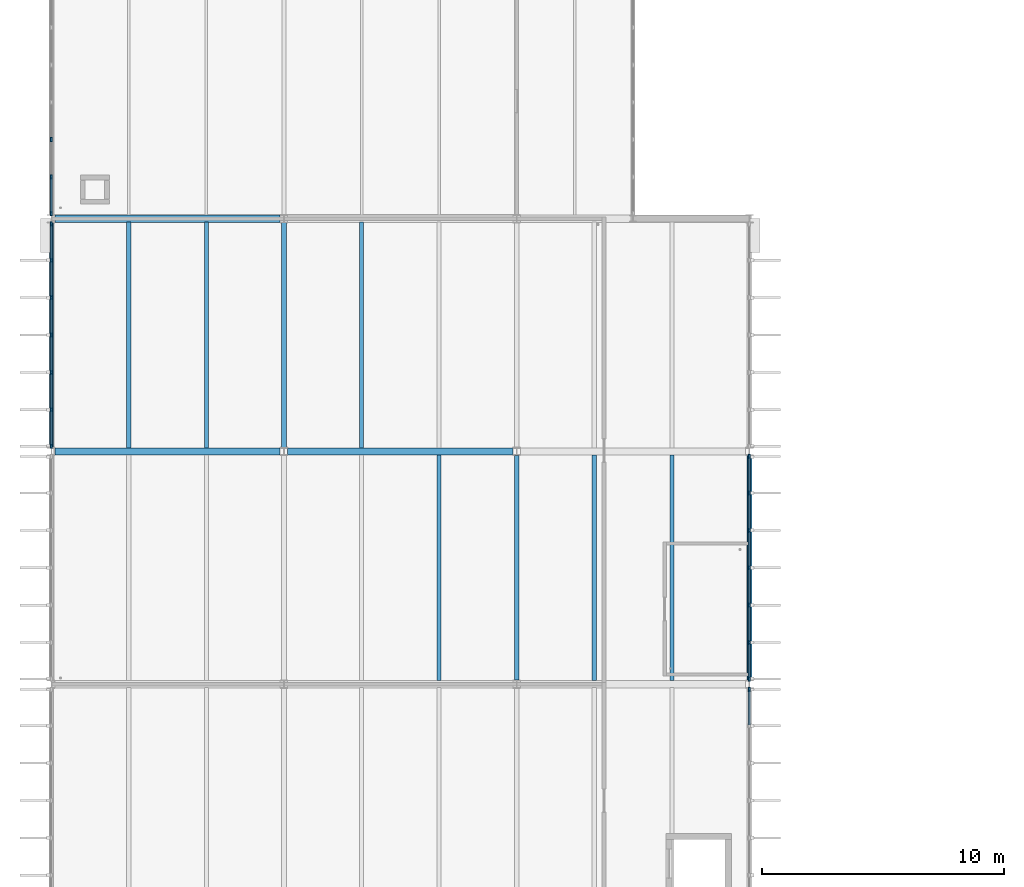
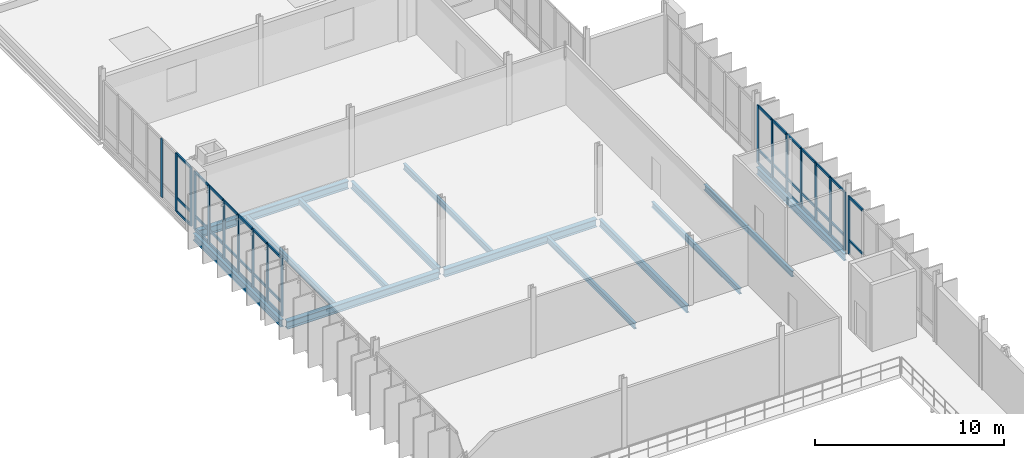
# One storey, part 36 of 107: 59 members, 13 beams, 4 elements without a shape of their own.
"""IFC4 building model written with IfcOpenShell, lengths in metres."""

from ifc_helpers import new_model, si_unit, direction, frame, origin, origin_2d, place, context, subcontext, project, spatial, rectangle, i_section, extrude, material, material_profile, profile_set, type_object, element, aggregate, save


model = new_model("IFC4")

# Units and contexts
model_context = context("Model", 3, precision=1e-05, world=origin(), true_north=direction((0.0, 1.0)))
body_context = subcontext(model_context, "Body", "Model", "MODEL_VIEW")
ifc_project = project(units=[si_unit("LENGTHUNIT", "METRE"), si_unit("AREAUNIT", "SQUARE_METRE"), si_unit("VOLUMEUNIT", "CUBIC_METRE"), si_unit("PLANEANGLEUNIT", "RADIAN"), si_unit("MASSUNIT", "GRAM", prefix="KILO")], contexts=[model_context])

# Site, building, storey
site_placement = place(None, origin())
site = spatial("IfcSite", under=ifc_project, at=site_placement, CompositionType="ELEMENT")
building_placement = place(site_placement, origin())
building = spatial("IfcBuilding", under=site, at=building_placement, Name="Dunescarp Central Library", CompositionType="ELEMENT")
storey_placement = place(building_placement, frame((0.0, 0.0, 5.10009765625)))
storey = spatial("IfcBuildingStorey", under=building, at=storey_placement, Name="L01", CompositionType="ELEMENT", Elevation=5.10009765625)

# Curtain wall, member
ifc_material_1 = material(Name="Marine-grade anodised aluminium 6063-T6", Category="aluminium")
curtain_wall_type = type_object("IfcCurtainWallType", Name="ARC-CW-STICK", PredefinedType="NOTDEFINED", material=ifc_material_1)
curtain_wall_1_placement = place(storey_placement, origin())
curtain_wall_1 = element("IfcCurtainWall", 1, at=curtain_wall_1_placement, inside=storey, type_object=curtain_wall_type, Name="L01 curtain wall CW-V4-119", PredefinedType="NOTDEFINED")
ifc_material_profile_1 = material_profile(ifc_material_1, rectangle(XDim=0.080078125, YDim=0.179931640625, at=origin_2d()), Name="AL 80x180")
ifc_profile_set_1 = profile_set([ifc_material_profile_1], Name="Marine-grade anodised aluminium 6063-T6")
member_type_1 = type_object("IfcMemberType", Name="ARC-CWM-180", PredefinedType="MULLION", material=ifc_profile_set_1)
member_1_placement = place(storey_placement, frame((28.800048828125, 70.18505859375, 0.0), z_axis=(0.0, 0.0, 1.0), x_axis=(1.0, 0.0, 0.0)))
member_1 = element("IfcMember", 2, at=member_1_placement, type_object=member_type_1, Name="CW-V4-119 mullion 1", PredefinedType="MULLION", context=body_context, shape_type="SweptSolid", body=[
    extrude(rectangle(XDim=0.080078125, YDim=0.179931640625, at=origin_2d()), origin(), (0.0, 0.0, 1.0), 3.73193359375),
])

# Curtain wall, members
curtain_wall_2_placement = place(storey_placement, origin())
curtain_wall_2 = element("IfcCurtainWall", 3, at=curtain_wall_2_placement, inside=storey, type_object=curtain_wall_type, Name="L01 curtain wall CW-V4-121", PredefinedType="NOTDEFINED")
member_2_placement = place(storey_placement, frame((28.800048828125, 79.784912109375, 0.0), z_axis=(0.0, 0.0, 1.0), x_axis=(1.0, 0.0, 0.0)))
member_2 = element("IfcMember", 4, at=member_2_placement, type_object=member_type_1, Name="CW-V4-121 mullion 1", PredefinedType="MULLION", context=body_context, shape_type="SweptSolid", body=[
    extrude(rectangle(XDim=0.080078125, YDim=0.179931640625, at=origin_2d()), origin(), (0.0, 0.0, 1.0), 3.764892578125),
])
member_3_placement = place(storey_placement, frame((28.800048828125, 78.283447265625, 0.0), z_axis=(0.0, 0.0, 1.0), x_axis=(1.0, 0.0, 0.0)))
member_3 = element("IfcMember", 5, at=member_3_placement, type_object=member_type_1, Name="CW-V4-121 mullion 2", PredefinedType="MULLION", context=body_context, shape_type="SweptSolid", body=[
    extrude(rectangle(XDim=0.080078125, YDim=0.179931640625, at=origin_2d()), origin(), (0.0, 0.0, 1.0), 3.764892578125),
])
member_4_placement = place(storey_placement, frame((28.800048828125, 76.74169921875, 0.0), z_axis=(0.0, 0.0, 1.0), x_axis=(1.0, 0.0, 0.0)))
member_4 = element("IfcMember", 6, at=member_4_placement, type_object=member_type_1, Name="CW-V4-121 mullion 3", PredefinedType="MULLION", context=body_context, shape_type="SweptSolid", body=[
    extrude(rectangle(XDim=0.080078125, YDim=0.179931640625, at=origin_2d()), origin(), (0.0, 0.0, 1.0), 3.764892578125),
])
member_5_placement = place(storey_placement, frame((28.800048828125, 75.199951171875, 0.0), z_axis=(0.0, 0.0, 1.0), x_axis=(1.0, 0.0, 0.0)))
member_5 = element("IfcMember", 7, at=member_5_placement, type_object=member_type_1, Name="CW-V4-121 mullion 4", PredefinedType="MULLION", context=body_context, shape_type="SweptSolid", body=[
    extrude(rectangle(XDim=0.080078125, YDim=0.179931640625, at=origin_2d()), origin(), (0.0, 0.0, 1.0), 3.764892578125),
])
member_6_placement = place(storey_placement, frame((28.800048828125, 73.658447265625, 0.0), z_axis=(0.0, 0.0, 1.0), x_axis=(1.0, 0.0, 0.0)))
member_6 = element("IfcMember", 8, at=member_6_placement, type_object=member_type_1, Name="CW-V4-121 mullion 5", PredefinedType="MULLION", context=body_context, shape_type="SweptSolid", body=[
    extrude(rectangle(XDim=0.080078125, YDim=0.179931640625, at=origin_2d()), origin(), (0.0, 0.0, 1.0), 3.764892578125),
])
member_7_placement = place(storey_placement, frame((28.800048828125, 72.11669921875, 0.0), z_axis=(0.0, 0.0, 1.0), x_axis=(1.0, 0.0, 0.0)))
member_7 = element("IfcMember", 9, at=member_7_placement, type_object=member_type_1, Name="CW-V4-121 mullion 6", PredefinedType="MULLION", context=body_context, shape_type="SweptSolid", body=[
    extrude(rectangle(XDim=0.080078125, YDim=0.179931640625, at=origin_2d()), origin(), (0.0, 0.0, 1.0), 3.764892578125),
])
member_8_placement = place(storey_placement, frame((28.800048828125, 70.614990234375, 0.0), z_axis=(0.0, 0.0, 1.0), x_axis=(1.0, 0.0, 0.0)))
member_8 = element("IfcMember", 10, at=member_8_placement, type_object=member_type_1, Name="CW-V4-121 mullion 7", PredefinedType="MULLION", context=body_context, shape_type="SweptSolid", body=[
    extrude(rectangle(XDim=0.080078125, YDim=0.179931640625, at=origin_2d()), origin(), (0.0, 0.0, 1.0), 3.764892578125),
])

curtain_wall_3_placement = place(storey_placement, origin())
curtain_wall_3 = element("IfcCurtainWall", 11, at=curtain_wall_3_placement, inside=storey, type_object=curtain_wall_type, Name="L01 curtain wall CW-V4-122", PredefinedType="NOTDEFINED")
member_9_placement = place(storey_placement, frame((0.0, 80.215087890625, 0.0), z_axis=(0.0, 0.0, 1.0), x_axis=(-1.0, 0.0, 0.0)))
member_9 = element("IfcMember", 12, at=member_9_placement, type_object=member_type_1, Name="CW-V4-122 mullion 1", PredefinedType="MULLION", context=body_context, shape_type="SweptSolid", body=[
    extrude(rectangle(XDim=0.080078125, YDim=0.179931640625, at=origin_2d()), origin(), (0.0, 0.0, 1.0), 3.764892578125),
])
member_10_placement = place(storey_placement, frame((0.0, 81.716552734375, 0.0), z_axis=(0.0, 0.0, 1.0), x_axis=(-1.0, 0.0, 0.0)))
member_10 = element("IfcMember", 13, at=member_10_placement, type_object=member_type_1, Name="CW-V4-122 mullion 2", PredefinedType="MULLION", context=body_context, shape_type="SweptSolid", body=[
    extrude(rectangle(XDim=0.080078125, YDim=0.179931640625, at=origin_2d()), origin(), (0.0, 0.0, 1.0), 3.764892578125),
])
member_11_placement = place(storey_placement, frame((0.0, 83.25830078125, 0.0), z_axis=(0.0, 0.0, 1.0), x_axis=(-1.0, 0.0, 0.0)))
member_11 = element("IfcMember", 14, at=member_11_placement, type_object=member_type_1, Name="CW-V4-122 mullion 3", PredefinedType="MULLION", context=body_context, shape_type="SweptSolid", body=[
    extrude(rectangle(XDim=0.080078125, YDim=0.179931640625, at=origin_2d()), origin(), (0.0, 0.0, 1.0), 3.764892578125),
])
member_12_placement = place(storey_placement, frame((0.0, 84.800048828125, 0.0), z_axis=(0.0, 0.0, 1.0), x_axis=(-1.0, 0.0, 0.0)))
member_12 = element("IfcMember", 15, at=member_12_placement, type_object=member_type_1, Name="CW-V4-122 mullion 4", PredefinedType="MULLION", context=body_context, shape_type="SweptSolid", body=[
    extrude(rectangle(XDim=0.080078125, YDim=0.179931640625, at=origin_2d()), origin(), (0.0, 0.0, 1.0), 3.764892578125),
])
member_13_placement = place(storey_placement, frame((0.0, 86.341552734375, 0.0), z_axis=(0.0, 0.0, 1.0), x_axis=(-1.0, 0.0, 0.0)))
member_13 = element("IfcMember", 16, at=member_13_placement, type_object=member_type_1, Name="CW-V4-122 mullion 5", PredefinedType="MULLION", context=body_context, shape_type="SweptSolid", body=[
    extrude(rectangle(XDim=0.080078125, YDim=0.179931640625, at=origin_2d()), origin(), (0.0, 0.0, 1.0), 3.764892578125),
])
member_14_placement = place(storey_placement, frame((0.0, 87.88330078125, 0.0), z_axis=(0.0, 0.0, 1.0), x_axis=(-1.0, 0.0, 0.0)))
member_14 = element("IfcMember", 17, at=member_14_placement, type_object=member_type_1, Name="CW-V4-122 mullion 6", PredefinedType="MULLION", context=body_context, shape_type="SweptSolid", body=[
    extrude(rectangle(XDim=0.080078125, YDim=0.179931640625, at=origin_2d()), origin(), (0.0, 0.0, 1.0), 3.764892578125),
])
member_15_placement = place(storey_placement, frame((0.0, 89.385009765625, 0.0), z_axis=(0.0, 0.0, 1.0), x_axis=(-1.0, 0.0, 0.0)))
member_15 = element("IfcMember", 18, at=member_15_placement, type_object=member_type_1, Name="CW-V4-122 mullion 7", PredefinedType="MULLION", context=body_context, shape_type="SweptSolid", body=[
    extrude(rectangle(XDim=0.080078125, YDim=0.179931640625, at=origin_2d()), origin(), (0.0, 0.0, 1.0), 3.764892578125),
])

curtain_wall_4_placement = place(storey_placement, origin())
curtain_wall_4 = element("IfcCurtainWall", 19, at=curtain_wall_4_placement, inside=storey, type_object=curtain_wall_type, Name="L01 curtain wall CW-V4N-142", PredefinedType="NOTDEFINED")
member_16_placement = place(storey_placement, frame((0.0, 89.81494140625, 0.0), z_axis=(0.0, 0.0, 1.0), x_axis=(-1.0, 0.0, 0.0)))
member_16 = element("IfcMember", 20, at=member_16_placement, type_object=member_type_1, Name="CW-V4N-142 mullion 1", PredefinedType="MULLION", context=body_context, shape_type="SweptSolid", body=[
    extrude(rectangle(XDim=0.080078125, YDim=0.179931640625, at=origin_2d()), origin(), (0.0, 0.0, 1.0), 3.764892578125),
])
member_17_placement = place(storey_placement, frame((0.0, 91.316650390625, 0.0), z_axis=(0.0, 0.0, 1.0), x_axis=(-1.0, 0.0, 0.0)))
member_17 = element("IfcMember", 21, at=member_17_placement, type_object=member_type_1, Name="CW-V4N-142 mullion 2", PredefinedType="MULLION", context=body_context, shape_type="SweptSolid", body=[
    extrude(rectangle(XDim=0.080078125, YDim=0.179931640625, at=origin_2d()), origin(), (0.0, 0.0, 1.0), 3.764892578125),
])
member_18_placement = place(storey_placement, frame((0.0, 92.8583984375, 0.0), z_axis=(0.0, 0.0, 1.0), x_axis=(-1.0, 0.0, 0.0)))
member_18 = element("IfcMember", 22, at=member_18_placement, type_object=member_type_1, Name="CW-V4N-142 mullion 3", PredefinedType="MULLION", context=body_context, shape_type="SweptSolid", body=[
    extrude(rectangle(XDim=0.080078125, YDim=0.179931640625, at=origin_2d()), origin(), (0.0, 0.0, 1.0), 3.764892578125),
])

# Member
ifc_material_profile_2 = material_profile(ifc_material_1, rectangle(XDim=0.080078125, YDim=0.14990234375, at=origin_2d()), Name="AL 80x150")
ifc_profile_set_2 = profile_set([ifc_material_profile_2], Name="Marine-grade anodised aluminium 6063-T6")
member_type_2 = type_object("IfcMemberType", Name="ARC-CWT-150", PredefinedType="USERDEFINED", material=ifc_profile_set_2)
member_19_placement = place(storey_placement, frame((28.800048828125, 70.14501953125, 0.89990234375), z_axis=(0.0, -1.0, 0.0), x_axis=(1.0, 0.0, 0.0)))
member_19 = element("IfcMember", 23, at=member_19_placement, type_object=member_type_2, Name="CW-V4-119 transom 1.2", ObjectType="TRANSOM", PredefinedType="USERDEFINED", context=body_context, shape_type="SweptSolid", body=[
    extrude(rectangle(XDim=0.080078125, YDim=0.14990234375, at=origin_2d()), origin(), (0.0, 0.0, 1.0), 1.421630859375),
])

member_20_placement = place(storey_placement, frame((28.800048828125, 70.14501953125, 3.69189453125), z_axis=(0.0, -1.0, 0.0), x_axis=(1.0, 0.0, 0.0)))
member_20 = element("IfcMember", 24, at=member_20_placement, type_object=member_type_2, Name="CW-V4-119 transom 1.3", ObjectType="TRANSOM", PredefinedType="USERDEFINED", context=body_context, shape_type="SweptSolid", body=[
    extrude(rectangle(XDim=0.080078125, YDim=0.14990234375, at=origin_2d()), origin(), (0.0, 0.0, 1.0), 1.421630859375),
])

aggregate(curtain_wall_1, [member_1, member_19, member_20])

member_21_placement = place(storey_placement, frame((28.800048828125, 79.7451171875, 0.039794921875), z_axis=(0.0, -1.0, 0.0), x_axis=(1.0, 0.0, 0.0)))
member_21 = element("IfcMember", 25, at=member_21_placement, type_object=member_type_2, Name="CW-V4-121 transom 1.1", ObjectType="TRANSOM", PredefinedType="USERDEFINED", context=body_context, shape_type="SweptSolid", body=[
    extrude(rectangle(XDim=0.080078125, YDim=0.14990234375, at=origin_2d()), origin(), (0.0, 0.0, 1.0), 1.421875),
])

member_22_placement = place(storey_placement, frame((28.800048828125, 79.7451171875, 0.89990234375), z_axis=(0.0, -1.0, 0.0), x_axis=(1.0, 0.0, 0.0)))
member_22 = element("IfcMember", 26, at=member_22_placement, type_object=member_type_2, Name="CW-V4-121 transom 1.2", ObjectType="TRANSOM", PredefinedType="USERDEFINED", context=body_context, shape_type="SweptSolid", body=[
    extrude(rectangle(XDim=0.080078125, YDim=0.14990234375, at=origin_2d()), origin(), (0.0, 0.0, 1.0), 1.421875),
])

member_23_placement = place(storey_placement, frame((28.800048828125, 79.7451171875, 3.724853515625), z_axis=(0.0, -1.0, 0.0), x_axis=(1.0, 0.0, 0.0)))
member_23 = element("IfcMember", 27, at=member_23_placement, type_object=member_type_2, Name="CW-V4-121 transom 1.3", ObjectType="TRANSOM", PredefinedType="USERDEFINED", context=body_context, shape_type="SweptSolid", body=[
    extrude(rectangle(XDim=0.080078125, YDim=0.14990234375, at=origin_2d()), origin(), (0.0, 0.0, 1.0), 1.421875),
])

member_24_placement = place(storey_placement, frame((28.800048828125, 78.243408203125, 0.039794921875), z_axis=(0.0, -1.0, 0.0), x_axis=(1.0, 0.0, 0.0)))
member_24 = element("IfcMember", 28, at=member_24_placement, type_object=member_type_2, Name="CW-V4-121 transom 2.1", ObjectType="TRANSOM", PredefinedType="USERDEFINED", context=body_context, shape_type="SweptSolid", body=[
    extrude(rectangle(XDim=0.080078125, YDim=0.14990234375, at=origin_2d()), origin(), (0.0, 0.0, 1.0), 1.461669921875),
])

member_25_placement = place(storey_placement, frame((28.800048828125, 78.243408203125, 0.89990234375), z_axis=(0.0, -1.0, 0.0), x_axis=(1.0, 0.0, 0.0)))
member_25 = element("IfcMember", 29, at=member_25_placement, type_object=member_type_2, Name="CW-V4-121 transom 2.2", ObjectType="TRANSOM", PredefinedType="USERDEFINED", context=body_context, shape_type="SweptSolid", body=[
    extrude(rectangle(XDim=0.080078125, YDim=0.14990234375, at=origin_2d()), origin(), (0.0, 0.0, 1.0), 1.461669921875),
])

member_26_placement = place(storey_placement, frame((28.800048828125, 78.243408203125, 3.724853515625), z_axis=(0.0, -1.0, 0.0), x_axis=(1.0, 0.0, 0.0)))
member_26 = element("IfcMember", 30, at=member_26_placement, type_object=member_type_2, Name="CW-V4-121 transom 2.3", ObjectType="TRANSOM", PredefinedType="USERDEFINED", context=body_context, shape_type="SweptSolid", body=[
    extrude(rectangle(XDim=0.080078125, YDim=0.14990234375, at=origin_2d()), origin(), (0.0, 0.0, 1.0), 1.461669921875),
])

member_27_placement = place(storey_placement, frame((28.800048828125, 76.70166015625, 0.039794921875), z_axis=(0.0, -1.0, 0.0), x_axis=(1.0, 0.0, 0.0)))
member_27 = element("IfcMember", 31, at=member_27_placement, type_object=member_type_2, Name="CW-V4-121 transom 3.1", ObjectType="TRANSOM", PredefinedType="USERDEFINED", context=body_context, shape_type="SweptSolid", body=[
    extrude(rectangle(XDim=0.080078125, YDim=0.14990234375, at=origin_2d()), origin(), (0.0, 0.0, 1.0), 1.461669921875),
])

member_28_placement = place(storey_placement, frame((28.800048828125, 76.70166015625, 0.89990234375), z_axis=(0.0, -1.0, 0.0), x_axis=(1.0, 0.0, 0.0)))
member_28 = element("IfcMember", 32, at=member_28_placement, type_object=member_type_2, Name="CW-V4-121 transom 3.2", ObjectType="TRANSOM", PredefinedType="USERDEFINED", context=body_context, shape_type="SweptSolid", body=[
    extrude(rectangle(XDim=0.080078125, YDim=0.14990234375, at=origin_2d()), origin(), (0.0, 0.0, 1.0), 1.461669921875),
])

member_29_placement = place(storey_placement, frame((28.800048828125, 76.70166015625, 3.724853515625), z_axis=(0.0, -1.0, 0.0), x_axis=(1.0, 0.0, 0.0)))
member_29 = element("IfcMember", 33, at=member_29_placement, type_object=member_type_2, Name="CW-V4-121 transom 3.3", ObjectType="TRANSOM", PredefinedType="USERDEFINED", context=body_context, shape_type="SweptSolid", body=[
    extrude(rectangle(XDim=0.080078125, YDim=0.14990234375, at=origin_2d()), origin(), (0.0, 0.0, 1.0), 1.461669921875),
])

member_30_placement = place(storey_placement, frame((28.800048828125, 75.159912109375, 0.039794921875), z_axis=(0.0, -1.0, 0.0), x_axis=(1.0, 0.0, 0.0)))
member_30 = element("IfcMember", 34, at=member_30_placement, type_object=member_type_2, Name="CW-V4-121 transom 4.1", ObjectType="TRANSOM", PredefinedType="USERDEFINED", context=body_context, shape_type="SweptSolid", body=[
    extrude(rectangle(XDim=0.080078125, YDim=0.14990234375, at=origin_2d()), origin(), (0.0, 0.0, 1.0), 1.461669921875),
])

member_31_placement = place(storey_placement, frame((28.800048828125, 75.159912109375, 0.89990234375), z_axis=(0.0, -1.0, 0.0), x_axis=(1.0, 0.0, 0.0)))
member_31 = element("IfcMember", 35, at=member_31_placement, type_object=member_type_2, Name="CW-V4-121 transom 4.2", ObjectType="TRANSOM", PredefinedType="USERDEFINED", context=body_context, shape_type="SweptSolid", body=[
    extrude(rectangle(XDim=0.080078125, YDim=0.14990234375, at=origin_2d()), origin(), (0.0, 0.0, 1.0), 1.461669921875),
])

member_32_placement = place(storey_placement, frame((28.800048828125, 75.159912109375, 3.724853515625), z_axis=(0.0, -1.0, 0.0), x_axis=(1.0, 0.0, 0.0)))
member_32 = element("IfcMember", 36, at=member_32_placement, type_object=member_type_2, Name="CW-V4-121 transom 4.3", ObjectType="TRANSOM", PredefinedType="USERDEFINED", context=body_context, shape_type="SweptSolid", body=[
    extrude(rectangle(XDim=0.080078125, YDim=0.14990234375, at=origin_2d()), origin(), (0.0, 0.0, 1.0), 1.461669921875),
])

member_33_placement = place(storey_placement, frame((28.800048828125, 73.618408203125, 0.039794921875), z_axis=(0.0, -1.0, 0.0), x_axis=(1.0, 0.0, 0.0)))
member_33 = element("IfcMember", 37, at=member_33_placement, type_object=member_type_2, Name="CW-V4-121 transom 5.1", ObjectType="TRANSOM", PredefinedType="USERDEFINED", context=body_context, shape_type="SweptSolid", body=[
    extrude(rectangle(XDim=0.080078125, YDim=0.14990234375, at=origin_2d()), origin(), (0.0, 0.0, 1.0), 1.461669921875),
])

member_34_placement = place(storey_placement, frame((28.800048828125, 73.618408203125, 0.89990234375), z_axis=(0.0, -1.0, 0.0), x_axis=(1.0, 0.0, 0.0)))
member_34 = element("IfcMember", 38, at=member_34_placement, type_object=member_type_2, Name="CW-V4-121 transom 5.2", ObjectType="TRANSOM", PredefinedType="USERDEFINED", context=body_context, shape_type="SweptSolid", body=[
    extrude(rectangle(XDim=0.080078125, YDim=0.14990234375, at=origin_2d()), origin(), (0.0, 0.0, 1.0), 1.461669921875),
])

member_35_placement = place(storey_placement, frame((28.800048828125, 73.618408203125, 3.724853515625), z_axis=(0.0, -1.0, 0.0), x_axis=(1.0, 0.0, 0.0)))
member_35 = element("IfcMember", 39, at=member_35_placement, type_object=member_type_2, Name="CW-V4-121 transom 5.3", ObjectType="TRANSOM", PredefinedType="USERDEFINED", context=body_context, shape_type="SweptSolid", body=[
    extrude(rectangle(XDim=0.080078125, YDim=0.14990234375, at=origin_2d()), origin(), (0.0, 0.0, 1.0), 1.461669921875),
])

member_36_placement = place(storey_placement, frame((28.800048828125, 72.07666015625, 0.039794921875), z_axis=(0.0, -1.0, 0.0), x_axis=(1.0, 0.0, 0.0)))
member_36 = element("IfcMember", 40, at=member_36_placement, type_object=member_type_2, Name="CW-V4-121 transom 6.1", ObjectType="TRANSOM", PredefinedType="USERDEFINED", context=body_context, shape_type="SweptSolid", body=[
    extrude(rectangle(XDim=0.080078125, YDim=0.14990234375, at=origin_2d()), origin(), (0.0, 0.0, 1.0), 1.421630859375),
])

member_37_placement = place(storey_placement, frame((28.800048828125, 72.07666015625, 0.89990234375), z_axis=(0.0, -1.0, 0.0), x_axis=(1.0, 0.0, 0.0)))
member_37 = element("IfcMember", 41, at=member_37_placement, type_object=member_type_2, Name="CW-V4-121 transom 6.2", ObjectType="TRANSOM", PredefinedType="USERDEFINED", context=body_context, shape_type="SweptSolid", body=[
    extrude(rectangle(XDim=0.080078125, YDim=0.14990234375, at=origin_2d()), origin(), (0.0, 0.0, 1.0), 1.421630859375),
])

member_38_placement = place(storey_placement, frame((28.800048828125, 72.07666015625, 3.724853515625), z_axis=(0.0, -1.0, 0.0), x_axis=(1.0, 0.0, 0.0)))
member_38 = element("IfcMember", 42, at=member_38_placement, type_object=member_type_2, Name="CW-V4-121 transom 6.3", ObjectType="TRANSOM", PredefinedType="USERDEFINED", context=body_context, shape_type="SweptSolid", body=[
    extrude(rectangle(XDim=0.080078125, YDim=0.14990234375, at=origin_2d()), origin(), (0.0, 0.0, 1.0), 1.421630859375),
])

aggregate(curtain_wall_2, [member_2, member_3, member_4, member_5, member_6, member_7, member_8, member_21, member_22, member_23, member_24, member_25, member_26, member_27, member_28, member_29, member_30, member_31, member_32, member_33, member_34, member_35, member_36, member_37, member_38])

member_39_placement = place(storey_placement, frame((0.0, 80.2548828125, 0.039794921875), z_axis=(0.0, 1.0, 0.0), x_axis=(-1.0, 0.0, 0.0)))
member_39 = element("IfcMember", 43, at=member_39_placement, type_object=member_type_2, Name="CW-V4-122 transom 1.1", ObjectType="TRANSOM", PredefinedType="USERDEFINED", context=body_context, shape_type="SweptSolid", body=[
    extrude(rectangle(XDim=0.080078125, YDim=0.14990234375, at=origin_2d()), origin(), (0.0, 0.0, 1.0), 1.421875),
])

member_40_placement = place(storey_placement, frame((0.0, 80.2548828125, 0.89990234375), z_axis=(0.0, 1.0, 0.0), x_axis=(-1.0, 0.0, 0.0)))
member_40 = element("IfcMember", 44, at=member_40_placement, type_object=member_type_2, Name="CW-V4-122 transom 1.2", ObjectType="TRANSOM", PredefinedType="USERDEFINED", context=body_context, shape_type="SweptSolid", body=[
    extrude(rectangle(XDim=0.080078125, YDim=0.14990234375, at=origin_2d()), origin(), (0.0, 0.0, 1.0), 1.421875),
])

member_41_placement = place(storey_placement, frame((0.0, 80.2548828125, 3.724853515625), z_axis=(0.0, 1.0, 0.0), x_axis=(-1.0, 0.0, 0.0)))
member_41 = element("IfcMember", 45, at=member_41_placement, type_object=member_type_2, Name="CW-V4-122 transom 1.3", ObjectType="TRANSOM", PredefinedType="USERDEFINED", context=body_context, shape_type="SweptSolid", body=[
    extrude(rectangle(XDim=0.080078125, YDim=0.14990234375, at=origin_2d()), origin(), (0.0, 0.0, 1.0), 1.421875),
])

member_42_placement = place(storey_placement, frame((0.0, 81.756591796875, 0.039794921875), z_axis=(0.0, 1.0, 0.0), x_axis=(-1.0, 0.0, 0.0)))
member_42 = element("IfcMember", 46, at=member_42_placement, type_object=member_type_2, Name="CW-V4-122 transom 2.1", ObjectType="TRANSOM", PredefinedType="USERDEFINED", context=body_context, shape_type="SweptSolid", body=[
    extrude(rectangle(XDim=0.080078125, YDim=0.14990234375, at=origin_2d()), origin(), (0.0, 0.0, 1.0), 1.461669921875),
])

member_43_placement = place(storey_placement, frame((0.0, 81.756591796875, 0.89990234375), z_axis=(0.0, 1.0, 0.0), x_axis=(-1.0, 0.0, 0.0)))
member_43 = element("IfcMember", 47, at=member_43_placement, type_object=member_type_2, Name="CW-V4-122 transom 2.2", ObjectType="TRANSOM", PredefinedType="USERDEFINED", context=body_context, shape_type="SweptSolid", body=[
    extrude(rectangle(XDim=0.080078125, YDim=0.14990234375, at=origin_2d()), origin(), (0.0, 0.0, 1.0), 1.461669921875),
])

member_44_placement = place(storey_placement, frame((0.0, 81.756591796875, 3.724853515625), z_axis=(0.0, 1.0, 0.0), x_axis=(-1.0, 0.0, 0.0)))
member_44 = element("IfcMember", 48, at=member_44_placement, type_object=member_type_2, Name="CW-V4-122 transom 2.3", ObjectType="TRANSOM", PredefinedType="USERDEFINED", context=body_context, shape_type="SweptSolid", body=[
    extrude(rectangle(XDim=0.080078125, YDim=0.14990234375, at=origin_2d()), origin(), (0.0, 0.0, 1.0), 1.461669921875),
])

member_45_placement = place(storey_placement, frame((0.0, 83.29833984375, 0.039794921875), z_axis=(0.0, 1.0, 0.0), x_axis=(-1.0, 0.0, 0.0)))
member_45 = element("IfcMember", 49, at=member_45_placement, type_object=member_type_2, Name="CW-V4-122 transom 3.1", ObjectType="TRANSOM", PredefinedType="USERDEFINED", context=body_context, shape_type="SweptSolid", body=[
    extrude(rectangle(XDim=0.080078125, YDim=0.14990234375, at=origin_2d()), origin(), (0.0, 0.0, 1.0), 1.461669921875),
])

member_46_placement = place(storey_placement, frame((0.0, 83.29833984375, 0.89990234375), z_axis=(0.0, 1.0, 0.0), x_axis=(-1.0, 0.0, 0.0)))
member_46 = element("IfcMember", 50, at=member_46_placement, type_object=member_type_2, Name="CW-V4-122 transom 3.2", ObjectType="TRANSOM", PredefinedType="USERDEFINED", context=body_context, shape_type="SweptSolid", body=[
    extrude(rectangle(XDim=0.080078125, YDim=0.14990234375, at=origin_2d()), origin(), (0.0, 0.0, 1.0), 1.461669921875),
])

member_47_placement = place(storey_placement, frame((0.0, 83.29833984375, 3.724853515625), z_axis=(0.0, 1.0, 0.0), x_axis=(-1.0, 0.0, 0.0)))
member_47 = element("IfcMember", 51, at=member_47_placement, type_object=member_type_2, Name="CW-V4-122 transom 3.3", ObjectType="TRANSOM", PredefinedType="USERDEFINED", context=body_context, shape_type="SweptSolid", body=[
    extrude(rectangle(XDim=0.080078125, YDim=0.14990234375, at=origin_2d()), origin(), (0.0, 0.0, 1.0), 1.461669921875),
])

member_48_placement = place(storey_placement, frame((0.0, 84.840087890625, 0.039794921875), z_axis=(0.0, 1.0, 0.0), x_axis=(-1.0, 0.0, 0.0)))
member_48 = element("IfcMember", 52, at=member_48_placement, type_object=member_type_2, Name="CW-V4-122 transom 4.1", ObjectType="TRANSOM", PredefinedType="USERDEFINED", context=body_context, shape_type="SweptSolid", body=[
    extrude(rectangle(XDim=0.080078125, YDim=0.14990234375, at=origin_2d()), origin(), (0.0, 0.0, 1.0), 1.461669921875),
])

member_49_placement = place(storey_placement, frame((0.0, 84.840087890625, 0.89990234375), z_axis=(0.0, 1.0, 0.0), x_axis=(-1.0, 0.0, 0.0)))
member_49 = element("IfcMember", 53, at=member_49_placement, type_object=member_type_2, Name="CW-V4-122 transom 4.2", ObjectType="TRANSOM", PredefinedType="USERDEFINED", context=body_context, shape_type="SweptSolid", body=[
    extrude(rectangle(XDim=0.080078125, YDim=0.14990234375, at=origin_2d()), origin(), (0.0, 0.0, 1.0), 1.461669921875),
])

member_50_placement = place(storey_placement, frame((0.0, 84.840087890625, 3.724853515625), z_axis=(0.0, 1.0, 0.0), x_axis=(-1.0, 0.0, 0.0)))
member_50 = element("IfcMember", 54, at=member_50_placement, type_object=member_type_2, Name="CW-V4-122 transom 4.3", ObjectType="TRANSOM", PredefinedType="USERDEFINED", context=body_context, shape_type="SweptSolid", body=[
    extrude(rectangle(XDim=0.080078125, YDim=0.14990234375, at=origin_2d()), origin(), (0.0, 0.0, 1.0), 1.461669921875),
])

member_51_placement = place(storey_placement, frame((0.0, 86.381591796875, 0.039794921875), z_axis=(0.0, 1.0, 0.0), x_axis=(-1.0, 0.0, 0.0)))
member_51 = element("IfcMember", 55, at=member_51_placement, type_object=member_type_2, Name="CW-V4-122 transom 5.1", ObjectType="TRANSOM", PredefinedType="USERDEFINED", context=body_context, shape_type="SweptSolid", body=[
    extrude(rectangle(XDim=0.080078125, YDim=0.14990234375, at=origin_2d()), origin(), (0.0, 0.0, 1.0), 1.461669921875),
])

member_52_placement = place(storey_placement, frame((0.0, 86.381591796875, 0.89990234375), z_axis=(0.0, 1.0, 0.0), x_axis=(-1.0, 0.0, 0.0)))
member_52 = element("IfcMember", 56, at=member_52_placement, type_object=member_type_2, Name="CW-V4-122 transom 5.2", ObjectType="TRANSOM", PredefinedType="USERDEFINED", context=body_context, shape_type="SweptSolid", body=[
    extrude(rectangle(XDim=0.080078125, YDim=0.14990234375, at=origin_2d()), origin(), (0.0, 0.0, 1.0), 1.461669921875),
])

member_53_placement = place(storey_placement, frame((0.0, 86.381591796875, 3.724853515625), z_axis=(0.0, 1.0, 0.0), x_axis=(-1.0, 0.0, 0.0)))
member_53 = element("IfcMember", 57, at=member_53_placement, type_object=member_type_2, Name="CW-V4-122 transom 5.3", ObjectType="TRANSOM", PredefinedType="USERDEFINED", context=body_context, shape_type="SweptSolid", body=[
    extrude(rectangle(XDim=0.080078125, YDim=0.14990234375, at=origin_2d()), origin(), (0.0, 0.0, 1.0), 1.461669921875),
])

member_54_placement = place(storey_placement, frame((0.0, 87.92333984375, 0.039794921875), z_axis=(0.0, 1.0, 0.0), x_axis=(-1.0, 0.0, 0.0)))
member_54 = element("IfcMember", 58, at=member_54_placement, type_object=member_type_2, Name="CW-V4-122 transom 6.1", ObjectType="TRANSOM", PredefinedType="USERDEFINED", context=body_context, shape_type="SweptSolid", body=[
    extrude(rectangle(XDim=0.080078125, YDim=0.14990234375, at=origin_2d()), origin(), (0.0, 0.0, 1.0), 1.421630859375),
])

member_55_placement = place(storey_placement, frame((0.0, 87.92333984375, 0.89990234375), z_axis=(0.0, 1.0, 0.0), x_axis=(-1.0, 0.0, 0.0)))
member_55 = element("IfcMember", 59, at=member_55_placement, type_object=member_type_2, Name="CW-V4-122 transom 6.2", ObjectType="TRANSOM", PredefinedType="USERDEFINED", context=body_context, shape_type="SweptSolid", body=[
    extrude(rectangle(XDim=0.080078125, YDim=0.14990234375, at=origin_2d()), origin(), (0.0, 0.0, 1.0), 1.421630859375),
])

member_56_placement = place(storey_placement, frame((0.0, 87.92333984375, 3.724853515625), z_axis=(0.0, 1.0, 0.0), x_axis=(-1.0, 0.0, 0.0)))
member_56 = element("IfcMember", 60, at=member_56_placement, type_object=member_type_2, Name="CW-V4-122 transom 6.3", ObjectType="TRANSOM", PredefinedType="USERDEFINED", context=body_context, shape_type="SweptSolid", body=[
    extrude(rectangle(XDim=0.080078125, YDim=0.14990234375, at=origin_2d()), origin(), (0.0, 0.0, 1.0), 1.421630859375),
])

aggregate(curtain_wall_3, [member_9, member_10, member_11, member_12, member_13, member_14, member_15, member_39, member_40, member_41, member_42, member_43, member_44, member_45, member_46, member_47, member_48, member_49, member_50, member_51, member_52, member_53, member_54, member_55, member_56])

member_57_placement = place(storey_placement, frame((0.0, 89.85498046875, 0.039794921875), z_axis=(0.0, 1.0, 0.0), x_axis=(-1.0, 0.0, 0.0)))
member_57 = element("IfcMember", 61, at=member_57_placement, type_object=member_type_2, Name="CW-V4N-142 transom 1.1", ObjectType="TRANSOM", PredefinedType="USERDEFINED", context=body_context, shape_type="SweptSolid", body=[
    extrude(rectangle(XDim=0.080078125, YDim=0.14990234375, at=origin_2d()), origin(), (0.0, 0.0, 1.0), 1.421630859375),
])

member_58_placement = place(storey_placement, frame((0.0, 89.85498046875, 0.89990234375), z_axis=(0.0, 1.0, 0.0), x_axis=(-1.0, 0.0, 0.0)))
member_58 = element("IfcMember", 62, at=member_58_placement, type_object=member_type_2, Name="CW-V4N-142 transom 1.2", ObjectType="TRANSOM", PredefinedType="USERDEFINED", context=body_context, shape_type="SweptSolid", body=[
    extrude(rectangle(XDim=0.080078125, YDim=0.14990234375, at=origin_2d()), origin(), (0.0, 0.0, 1.0), 1.421630859375),
])

member_59_placement = place(storey_placement, frame((0.0, 89.85498046875, 3.724853515625), z_axis=(0.0, 1.0, 0.0), x_axis=(-1.0, 0.0, 0.0)))
member_59 = element("IfcMember", 63, at=member_59_placement, type_object=member_type_2, Name="CW-V4N-142 transom 1.3", ObjectType="TRANSOM", PredefinedType="USERDEFINED", context=body_context, shape_type="SweptSolid", body=[
    extrude(rectangle(XDim=0.080078125, YDim=0.14990234375, at=origin_2d()), origin(), (0.0, 0.0, 1.0), 1.421630859375),
])

aggregate(curtain_wall_4, [member_16, member_17, member_18, member_57, member_58, member_59])

# Beams
ifc_material_2 = material(Name="Steel S355JR", Category="steel")
ifc_material_profile_3 = material_profile(ifc_material_2, i_section(OverallWidth=0.300048828125, OverallDepth=0.5, WebThickness=0.014404296875, FlangeThickness=0.028076171875, at=origin_2d()), Name="HEB 500")
ifc_profile_set_3 = profile_set([ifc_material_profile_3], Name="Steel S355JR")
beam_type_1 = type_object("IfcBeamType", Name="STR-BM-HEB500", PredefinedType="BEAM", material=ifc_profile_set_3)
for number, where, z_axis, x_axis, name in (
    (64, (0.153076171875, 80.0, -0.47021484375), (1.0, 0.0, 0.0), (0.0, 1.0, 0.0), "L01 girder BM-L01-0951"),
    (65, (0.153076171875, 89.60009765625, -0.47021484375), (1.0, 0.0, 0.0), (0.0, 1.0, 0.0), "L01 girder BM-L01-0956"),
):
    element("IfcBeam", number, at=place(storey_placement, frame(where, z_axis=z_axis, x_axis=x_axis)), inside=storey, type_object=beam_type_1, Name=name, PredefinedType="BEAM", context=body_context, shape_type="SweptSolid", body=[
        extrude(i_section(OverallWidth=0.300048828125, OverallDepth=0.5, WebThickness=0.014404296875, FlangeThickness=0.028076171875, at=origin_2d()), origin(), (0.0, 0.0, 1.0), 9.2939453125),
    ])
beam_placement = place(storey_placement, frame((9.7529296875, 80.0, -0.47021484375), z_axis=(1.0, 0.0, 0.0), x_axis=(0.0, 1.0, 0.0)))
element("IfcBeam", 66, at=beam_placement, inside=storey, type_object=beam_type_1, Name="L01 girder BM-L01-0966", PredefinedType="BEAM", context=body_context, shape_type="SweptSolid", body=[
    extrude(i_section(OverallWidth=0.300048828125, OverallDepth=0.5, WebThickness=0.014404296875, FlangeThickness=0.028076171875, at=origin_2d()), origin(), (0.0, 0.0, 1.0), 9.294189453125),
])
ifc_material_profile_4 = material_profile(ifc_material_2, i_section(OverallWidth=0.18994140625, OverallDepth=0.453369140625, WebThickness=0.008544921875, FlangeThickness=0.0126953125, at=origin_2d()), Name="UB 457x191x67")
ifc_profile_set_4 = profile_set([ifc_material_profile_4], Name="Steel S355JR")
beam_type_2 = type_object("IfcBeamType", Name="STR-BM-UB457", PredefinedType="BEAM", material=ifc_profile_set_4)
for number, where, z_axis, x_axis, name in (
    (67, (0.0, 80.160888671875, -0.447021484375), (0.0, 1.0, 0.0), (-1.0, 0.0, 0.0), "L01 girder BM-L01-0957"),
    (68, (9.60009765625, 80.160888671875, -0.447021484375), (0.0, 1.0, 0.0), (-1.0, 0.0, 0.0), "L01 girder BM-L01-0958"),
    (69, (19.199951171875, 70.56103515625, -0.447021484375), (0.0, 1.0, 0.0), (-1.0, 0.0, 0.0), "L01 girder BM-L01-0967"),
    (70, (28.800048828125, 70.56103515625, -0.447021484375), (0.0, 1.0, 0.0), (-1.0, 0.0, 0.0), "L01 girder BM-L01-0980"),
):
    element("IfcBeam", number, at=place(storey_placement, frame(where, z_axis=z_axis, x_axis=x_axis)), inside=storey, type_object=beam_type_2, Name=name, PredefinedType="BEAM", context=body_context, shape_type="SweptSolid", body=[
        extrude(i_section(OverallWidth=0.18994140625, OverallDepth=0.453369140625, WebThickness=0.008544921875, FlangeThickness=0.0126953125, at=origin_2d()), origin(), (0.0, 0.0, 1.0), 9.278076171875),
    ])
ifc_material_profile_5 = material_profile(ifc_material_2, i_section(OverallWidth=0.169921875, OverallDepth=0.360107421875, WebThickness=0.008056640625, FlangeThickness=0.0126953125, at=origin_2d()), Name="IPE 360")
ifc_profile_set_5 = profile_set([ifc_material_profile_5], Name="Steel S355JR")
beam_type_3 = type_object("IfcBeamType", Name="STR-JS-IPE360", PredefinedType="JOIST", material=ifc_profile_set_5)
for number, where, z_axis, x_axis, name in (
    (71, (3.199951171875, 80.14794921875, -0.400146484375), (0.0, 1.0, 0.0), (-1.0, 0.0, 0.0), "L01 joist JS-L01-0959"),
    (72, (6.39990234375, 80.14794921875, -0.400146484375), (0.0, 1.0, 0.0), (-1.0, 0.0, 0.0), "L01 joist JS-L01-0960"),
    (73, (16.0, 70.548095703125, -0.400146484375), (0.0, 1.0, 0.0), (-1.0, 0.0, 0.0), "L01 joist JS-L01-0969"),
    (74, (12.800048828125, 80.14794921875, -0.400146484375), (0.0, 1.0, 0.0), (-1.0, 0.0, 0.0), "L01 joist JS-L01-0972"),
    (75, (22.39990234375, 70.548095703125, -0.400146484375), (0.0, 1.0, 0.0), (-1.0, 0.0, 0.0), "L01 joist JS-L01-0981"),
    (76, (25.60009765625, 70.548095703125, -0.400146484375), (0.0, 1.0, 0.0), (-1.0, 0.0, 0.0), "L01 joist JS-L01-0982"),
):
    element("IfcBeam", number, at=place(storey_placement, frame(where, z_axis=z_axis, x_axis=x_axis)), inside=storey, type_object=beam_type_3, Name=name, PredefinedType="JOIST", context=body_context, shape_type="SweptSolid", body=[
        extrude(i_section(OverallWidth=0.169921875, OverallDepth=0.360107421875, WebThickness=0.008056640625, FlangeThickness=0.0126953125, at=origin_2d()), origin(), (0.0, 0.0, 1.0), 9.303955078125),
    ])

save(model, "model.ifc")
